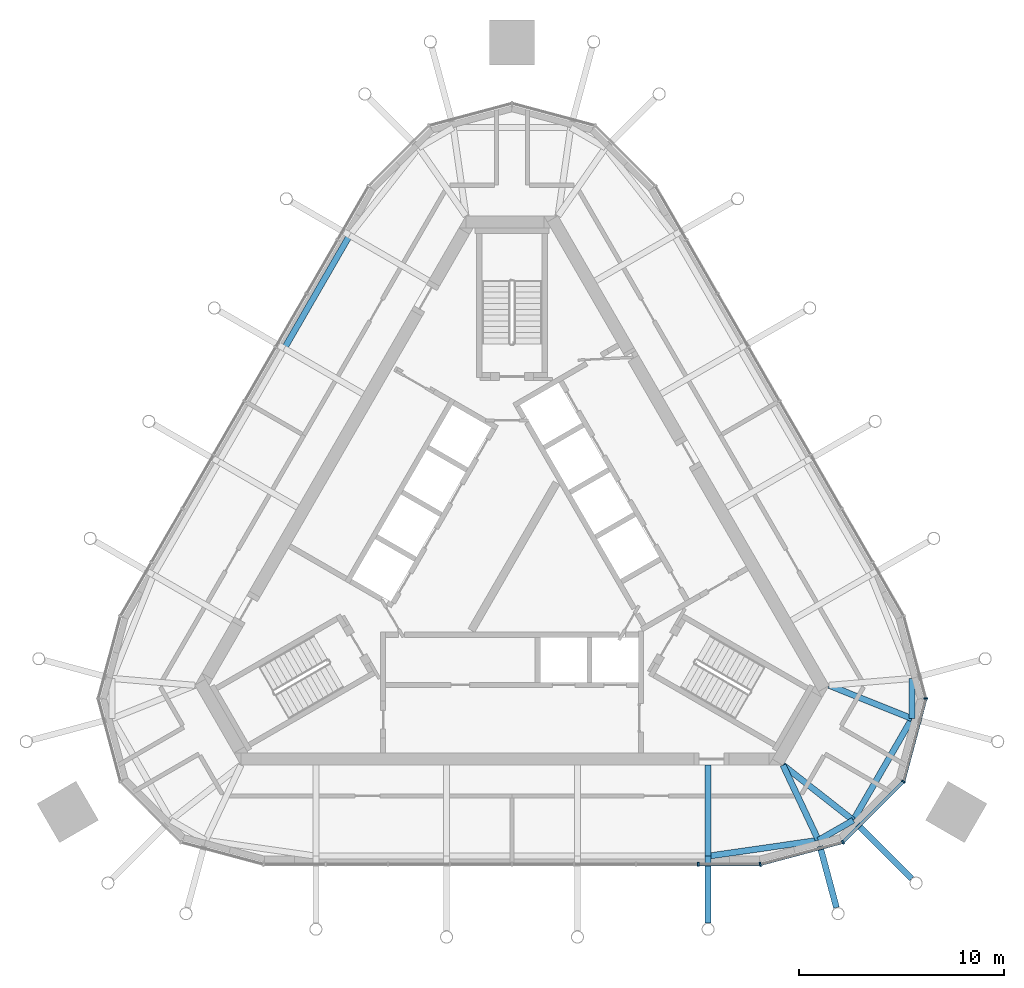
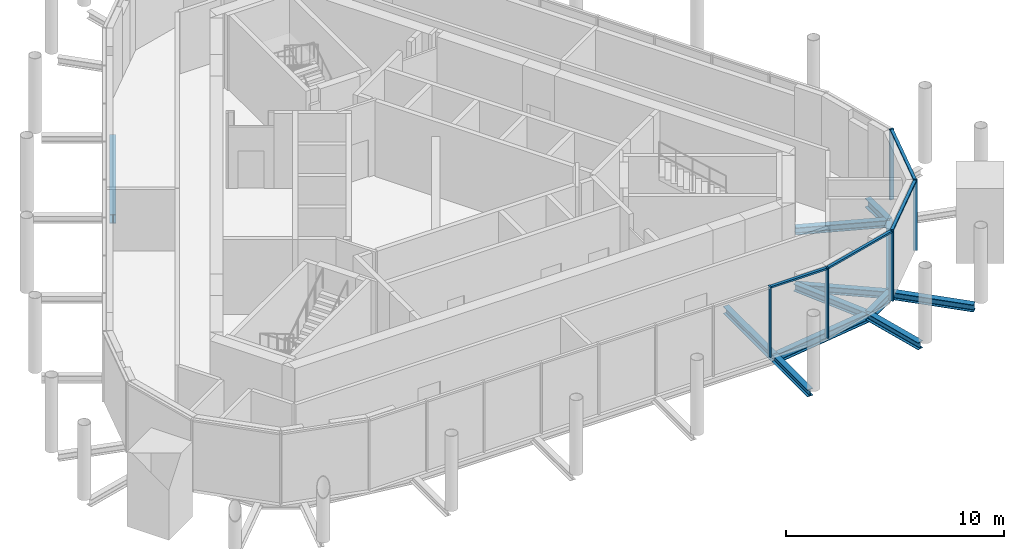
# One storey, part 3 of 11: 12 beams, 9 members, 2 elements without a shape of their own.
"""IFC4 building model written with IfcOpenShell, lengths in metres."""

from ifc_helpers import new_model, si_unit, direction, frame, origin, origin_2d, place, context, subcontext, project, spatial, rectangle, i_section, extrude, material, material_profile, profile_set, type_object, element, aggregate, save


model = new_model("IFC4")

# Units and contexts
model_context = context("Model", 3, precision=1e-05, world=origin(), true_north=direction((0.0, 1.0)))
body_context = subcontext(model_context, "Body", "Model", "MODEL_VIEW")
ifc_project = project(units=[si_unit("LENGTHUNIT", "METRE"), si_unit("AREAUNIT", "SQUARE_METRE"), si_unit("VOLUMEUNIT", "CUBIC_METRE"), si_unit("PLANEANGLEUNIT", "RADIAN"), si_unit("MASSUNIT", "GRAM", prefix="KILO")], contexts=[model_context])

# Site, building, storey
site_placement = place(None, origin())
site = spatial("IfcSite", under=ifc_project, at=site_placement, CompositionType="ELEMENT")
building_placement = place(site_placement, origin())
building = spatial("IfcBuilding", under=site, at=building_placement, Name="Mestral Congress Tower", CompositionType="ELEMENT")
storey_placement = place(building_placement, frame((0.0, 0.0, 336.0)))
storey = spatial("IfcBuildingStorey", under=building, at=storey_placement, Name="L78", CompositionType="ELEMENT", Elevation=336.0)

# Curtain wall, members
ifc_material_1 = material(Name="Glazed ceramic", Category="masonry")
curtain_wall_type = type_object("IfcCurtainWallType", Name="Facade plant louvre screen", PredefinedType="USERDEFINED", material=ifc_material_1)
placement = place(storey_placement, origin())
curtain_wall_1 = element("IfcCurtainWall", 1, at=placement, inside=storey, type_object=curtain_wall_type, Name="Plant louvre screen corner 1", ObjectType="CURTAIN WALL", PredefinedType="USERDEFINED")
ifc_material_2 = material(Name="Anodised aluminium", Category="aluminium")
ifc_material_profile_1 = material_profile(ifc_material_2, rectangle(XDim=0.199951171875, YDim=0.080078125, at=origin_2d()), Name="CW6 mullion 200 x 80")
ifc_profile_set_1 = profile_set([ifc_material_profile_1], Name="Anodised aluminium")
member_type_1 = type_object("IfcMemberType", Name="Facade plant louvre screen mullion", PredefinedType="MULLION", material=ifc_profile_set_1)
member_1_placement = place(storey_placement, frame((12.1376953125, -15.10009765625, 0.0), z_axis=(0.0, 0.0, 1.0), x_axis=(0.258819045103, -0.965925826289, 0.0)))
member_1 = element("IfcMember", 2, at=member_1_placement, type_object=member_type_1, Name="Facade plant louvre screen mullion", PredefinedType="MULLION", context=body_context, shape_type="SweptSolid", body=[
    extrude(rectangle(XDim=0.199951171875, YDim=0.080078125, at=origin_2d()), origin(), (0.0, 0.0, 1.0), 3.949951171875),
])
member_2_placement = place(storey_placement, frame((16.17626953125, -14.017822265625, 0.0), z_axis=(0.0, 0.0, 1.0), x_axis=(0.5, -0.866025403784, 0.0)))
member_2 = element("IfcMember", 3, at=member_2_placement, type_object=member_type_1, Name="Facade plant louvre screen mullion", PredefinedType="MULLION", context=body_context, shape_type="SweptSolid", body=[
    extrude(rectangle(XDim=0.199951171875, YDim=0.080078125, at=origin_2d()), origin(), (0.0, 0.0, 1.0), 3.949951171875),
])
member_3_placement = place(storey_placement, frame((19.142333984375, -11.0517578125, 0.0), z_axis=(0.0, 0.0, 1.0), x_axis=(0.866025403784, -0.5, 0.0)))
member_3 = element("IfcMember", 4, at=member_3_placement, type_object=member_type_1, Name="Facade plant louvre screen mullion", PredefinedType="MULLION", context=body_context, shape_type="SweptSolid", body=[
    extrude(rectangle(XDim=0.199951171875, YDim=0.080078125, at=origin_2d()), origin(), (0.0, 0.0, 1.0), 3.949951171875),
])
member_4_placement = place(storey_placement, frame((20.227783203125, -7.0, 0.0), z_axis=(0.0, 0.0, 1.0), x_axis=(1.0, 0.0, 0.0)))
member_4 = element("IfcMember", 5, at=member_4_placement, type_object=member_type_1, Name="Facade plant louvre screen mullion", PredefinedType="MULLION", context=body_context, shape_type="SweptSolid", body=[
    extrude(rectangle(XDim=0.199951171875, YDim=0.080078125, at=origin_2d()), origin(), (0.0, 0.0, 1.0), 3.949951171875),
])

# Curtain wall, member
curtain_wall_2 = element("IfcCurtainWall", 6, at=placement, inside=storey, type_object=curtain_wall_type, Name="Plant louvre screen side 6", ObjectType="CURTAIN WALL", PredefinedType="USERDEFINED")
member_5_placement = place(storey_placement, frame((9.103271484375, -15.10009765625, 0.0), z_axis=(0.0, 0.0, 1.0), x_axis=(0.0, -1.0, 0.0)))
member_5 = element("IfcMember", 7, at=member_5_placement, type_object=member_type_1, Name="Facade plant louvre screen mullion", PredefinedType="MULLION", context=body_context, shape_type="SweptSolid", body=[
    extrude(rectangle(XDim=0.199951171875, YDim=0.080078125, at=origin_2d()), origin(), (0.0, 0.0, 1.0), 3.949951171875),
])

# Member
ifc_material_profile_2 = material_profile(ifc_material_2, rectangle(XDim=0.14990234375, YDim=0.10009765625, at=origin_2d()), Name="CW6 transom 150 x 100")
ifc_profile_set_2 = profile_set([ifc_material_profile_2], Name="Anodised aluminium")
member_type_2 = type_object("IfcMemberType", Name="Facade plant louvre screen transom", PredefinedType="USERDEFINED", material=ifc_profile_set_2)
member_6_placement = place(storey_placement, frame((12.17626953125, -15.089599609375, 3.89990234375), z_axis=(0.965932905177, 0.258792624888, 0.0), x_axis=(-0.258792624888, 0.965932905177, 0.0)))
member_6 = element("IfcMember", 8, at=member_6_placement, type_object=member_type_2, Name="Facade plant louvre screen transom", ObjectType="TRANSOM", PredefinedType="USERDEFINED", context=body_context, shape_type="SweptSolid", body=[
    extrude(rectangle(XDim=0.14990234375, YDim=0.10009765625, at=origin_2d()), origin(), (0.0, 0.0, 1.0), 4.100830078125),
])

member_7_placement = place(storey_placement, frame((16.204345703125, -13.989501953125, 3.89990234375), z_axis=(0.707136447306, 0.707077113823, 0.0), x_axis=(-0.707077113823, 0.707136447306, 0.0)))
member_7 = element("IfcMember", 9, at=member_7_placement, type_object=member_type_2, Name="Facade plant louvre screen transom", ObjectType="TRANSOM", PredefinedType="USERDEFINED", context=body_context, shape_type="SweptSolid", body=[
    extrude(rectangle(XDim=0.14990234375, YDim=0.10009765625, at=origin_2d()), origin(), (0.0, 0.0, 1.0), 4.11474609375),
])

member_8_placement = place(storey_placement, frame((19.152587890625, -11.01318359375, 3.89990234375), z_axis=(0.258807262034, 0.965928983476, 0.0), x_axis=(-0.965928983476, 0.258807262034, 0.0)))
member_8 = element("IfcMember", 10, at=member_8_placement, type_object=member_type_2, Name="Facade plant louvre screen transom", ObjectType="TRANSOM", PredefinedType="USERDEFINED", context=body_context, shape_type="SweptSolid", body=[
    extrude(rectangle(XDim=0.14990234375, YDim=0.10009765625, at=origin_2d()), origin(), (0.0, 0.0, 1.0), 4.11474609375),
])

aggregate(curtain_wall_1, [member_1, member_2, member_3, member_4, member_6, member_7, member_8])

member_9_placement = place(storey_placement, frame((9.143310546875, -15.10009765625, 3.89990234375), z_axis=(1.0, 0.0, 0.0), x_axis=(0.0, 1.0, 0.0)))
member_9 = element("IfcMember", 11, at=member_9_placement, type_object=member_type_2, Name="Facade plant louvre screen transom", ObjectType="TRANSOM", PredefinedType="USERDEFINED", context=body_context, shape_type="SweptSolid", body=[
    extrude(rectangle(XDim=0.14990234375, YDim=0.10009765625, at=origin_2d()), origin(), (0.0, 0.0, 1.0), 2.954345703125),
])

aggregate(curtain_wall_2, [member_5, member_9])

# Beams
ifc_material_3 = material(Name="Steel S355", Category="steel")
ifc_material_profile_3 = material_profile(ifc_material_3, i_section(OverallWidth=0.300048828125, OverallDepth=0.39990234375, WebThickness=0.013427734375, FlangeThickness=0.02392578125, FilletRadius=0.027099609375, at=origin_2d()), Name="HEB 400")
ifc_profile_set_3 = profile_set([ifc_material_profile_3], Name="Steel S355")
beam_type_1 = type_object("IfcBeamType", Name="Floor beam HEB 400 S355", PredefinedType="BEAM", material=ifc_profile_set_3)
beam_1_placement = place(storey_placement, frame((9.587158203125, -10.25, -0.449951171875), z_axis=(0.0, -1.0, 0.0), x_axis=(1.0, 0.0, 0.0)))
element("IfcBeam", 12, at=beam_1_placement, inside=storey, type_object=beam_type_1, Name="BM-L78-KR00", PredefinedType="BEAM", context=body_context, shape_type="SweptSolid", body=[
    extrude(i_section(OverallWidth=0.300048828125, OverallDepth=0.39990234375, WebThickness=0.013427734375, FlangeThickness=0.02392578125, FilletRadius=0.027099609375, at=origin_2d()), origin(), (0.0, 0.0, 1.0), 4.449951171875),
])
for number, where, z_axis, x_axis, name in (
    (13, (15.501953125, -6.35009765625, -0.449951171875), (0.928078801871, -0.372383857757, 0.0), (0.372383857757, 0.928078801871, 0.0), "BM-L78-KR21"),
    (14, (13.250244140625, -10.25, -0.449951171875), (0.786533746493, -0.617547298292, 0.0), (0.617547298292, 0.786533746493, 0.0), "BM-L78-KR22"),
):
    element("IfcBeam", number, at=place(storey_placement, frame(where, z_axis=z_axis, x_axis=x_axis)), inside=storey, type_object=beam_type_1, Name=name, PredefinedType="BEAM", context=body_context, shape_type="SweptSolid", body=[
        extrude(i_section(OverallWidth=0.300048828125, OverallDepth=0.39990234375, WebThickness=0.013427734375, FlangeThickness=0.02392578125, FilletRadius=0.027099609375, at=origin_2d()), origin(), (0.0, 0.0, 1.0), 4.364501953125),
    ])
beam_2_placement = place(storey_placement, frame((13.250244140625, -10.25, -0.449951171875), z_axis=(0.425828884258, -0.904803714256, 0.0), x_axis=(0.904803714256, 0.425828884258, 0.0)))
element("IfcBeam", 15, at=beam_2_placement, inside=storey, type_object=beam_type_1, Name="BM-L78-KR23", PredefinedType="BEAM", context=body_context, shape_type="SweptSolid", body=[
    extrude(i_section(OverallWidth=0.300048828125, OverallDepth=0.39990234375, WebThickness=0.013427734375, FlangeThickness=0.02392578125, FilletRadius=0.027099609375, at=origin_2d()), origin(), (0.0, 0.0, 1.0), 4.060791015625),
])
beam_3_placement = place(storey_placement, frame((9.587158203125, -17.96875, -0.449951171875), z_axis=(0.0, 1.0, 0.0), x_axis=(-1.0, 0.0, 0.0)))
element("IfcBeam", 16, at=beam_3_placement, inside=storey, type_object=beam_type_1, Name="BM-L78-KT-C5-S04", PredefinedType="BEAM", context=body_context, shape_type="SweptSolid", body=[
    extrude(i_section(OverallWidth=0.300048828125, OverallDepth=0.39990234375, WebThickness=0.013427734375, FlangeThickness=0.02392578125, FilletRadius=0.027099609375, at=origin_2d()), origin(), (0.0, 0.0, 1.0), 3.268798828125),
])
beam_4_placement = place(storey_placement, frame((19.538818359375, -15.80078125, -0.449951171875), z_axis=(-0.707137007821, 0.70707655326, 0.0), x_axis=(-0.70707655326, -0.707137007821, 0.0)))
element("IfcBeam", 17, at=beam_4_placement, inside=storey, type_object=beam_type_1, Name="BM-L78-KT-C5-SE1", PredefinedType="BEAM", context=body_context, shape_type="SweptSolid", body=[
    extrude(i_section(OverallWidth=0.300048828125, OverallDepth=0.39990234375, WebThickness=0.013427734375, FlangeThickness=0.02392578125, FilletRadius=0.027099609375, at=origin_2d()), origin(), (0.0, 0.0, 1.0), 4.038330078125),
])
beam_5_placement = place(storey_placement, frame((15.86181640625, -17.21728515625, -0.449951171875), z_axis=(-0.258812449793, 0.965927593473, 0.0), x_axis=(-0.965927593473, -0.258812449793, 0.0)))
element("IfcBeam", 18, at=beam_5_placement, inside=storey, type_object=beam_type_1, Name="BM-L78-KT-C5-S05", PredefinedType="BEAM", context=body_context, shape_type="SweptSolid", body=[
    extrude(i_section(OverallWidth=0.300048828125, OverallDepth=0.39990234375, WebThickness=0.013427734375, FlangeThickness=0.02392578125, FilletRadius=0.027099609375, at=origin_2d()), origin(), (0.0, 0.0, 1.0), 3.4091796875),
])
ifc_material_profile_4 = material_profile(ifc_material_3, i_section(OverallWidth=0.300048828125, OverallDepth=0.5, WebThickness=0.014404296875, FlangeThickness=0.028076171875, FilletRadius=0.027099609375, at=origin_2d()), Name="HEB 500")
ifc_profile_set_4 = profile_set([ifc_material_profile_4], Name="Steel S355")
beam_type_2 = type_object("IfcBeamType", Name="Floor beam HEB 500 S355", PredefinedType="BEAM", material=ifc_profile_set_4)
beam_6_placement = place(storey_placement, frame((-11.130859375, 10.120849609375, -0.5), z_axis=(0.500011397576, 0.866018823291, 0.0), x_axis=(-0.866018823291, 0.500011397576, 0.0)))
element("IfcBeam", 19, at=beam_6_placement, inside=storey, type_object=beam_type_2, Name="BM-L78-KG10", PredefinedType="BEAM", context=body_context, shape_type="SweptSolid", body=[
    extrude(i_section(OverallWidth=0.300048828125, OverallDepth=0.5, WebThickness=0.014404296875, FlangeThickness=0.028076171875, FilletRadius=0.027099609375, at=origin_2d()), origin(), (0.0, 0.0, 1.0), 6.387451171875),
])
beam_7_placement = place(storey_placement, frame((19.548583984375, -6.010498046875, -0.5), z_axis=(0.001988067642, -0.999998023792, 0.0), x_axis=(0.999998023792, 0.001988067642, 0.0)))
element("IfcBeam", 20, at=beam_7_placement, inside=storey, type_object=beam_type_2, Name="BM-L78-KG20", PredefinedType="BEAM", context=body_context, shape_type="SweptSolid", body=[
    extrude(i_section(OverallWidth=0.300048828125, OverallDepth=0.5, WebThickness=0.014404296875, FlangeThickness=0.028076171875, FilletRadius=0.027099609375, at=origin_2d()), origin(), (0.0, 0.0, 1.0), 1.96484375),
])
beam_8_placement = place(storey_placement, frame((19.552490234375, -7.975341796875, -0.5), z_axis=(-0.499996189405, -0.866027603821, 0.0), x_axis=(0.866027603821, -0.499996189405, 0.0)))
element("IfcBeam", 21, at=beam_8_placement, inside=storey, type_object=beam_type_2, Name="BM-L78-KG21", PredefinedType="BEAM", context=body_context, shape_type="SweptSolid", body=[
    extrude(i_section(OverallWidth=0.300048828125, OverallDepth=0.5, WebThickness=0.014404296875, FlangeThickness=0.028076171875, FilletRadius=0.027099609375, at=origin_2d()), origin(), (0.0, 0.0, 1.0), 5.73876953125),
])
beam_9_placement = place(storey_placement, frame((16.68310546875, -12.9453125, -0.5), z_axis=(-0.86703245351, -0.498251667895, 0.0), x_axis=(0.498251667895, -0.86703245351, 0.0)))
element("IfcBeam", 22, at=beam_9_placement, inside=storey, type_object=beam_type_2, Name="BM-L78-KG22", PredefinedType="BEAM", context=body_context, shape_type="SweptSolid", body=[
    extrude(i_section(OverallWidth=0.300048828125, OverallDepth=0.5, WebThickness=0.014404296875, FlangeThickness=0.028076171875, FilletRadius=0.027099609375, at=origin_2d()), origin(), (0.0, 0.0, 1.0), 1.96484375),
])
beam_10_placement = place(storey_placement, frame((14.9794921875, -13.92431640625, -0.5), z_axis=(-0.989812798939, -0.1423749383, 0.0), x_axis=(0.1423749383, -0.989812798939, 0.0)))
element("IfcBeam", 23, at=beam_10_placement, inside=storey, type_object=beam_type_2, Name="BM-L78-KG23", PredefinedType="BEAM", context=body_context, shape_type="SweptSolid", body=[
    extrude(i_section(OverallWidth=0.300048828125, OverallDepth=0.5, WebThickness=0.014404296875, FlangeThickness=0.028076171875, FilletRadius=0.027099609375, at=origin_2d()), origin(), (0.0, 0.0, 1.0), 5.44775390625),
])

save(model, "model.ifc")
